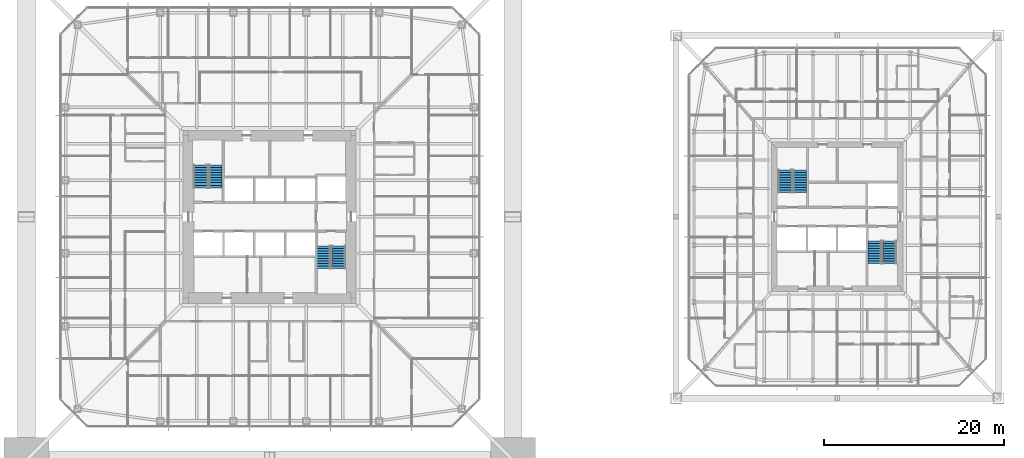
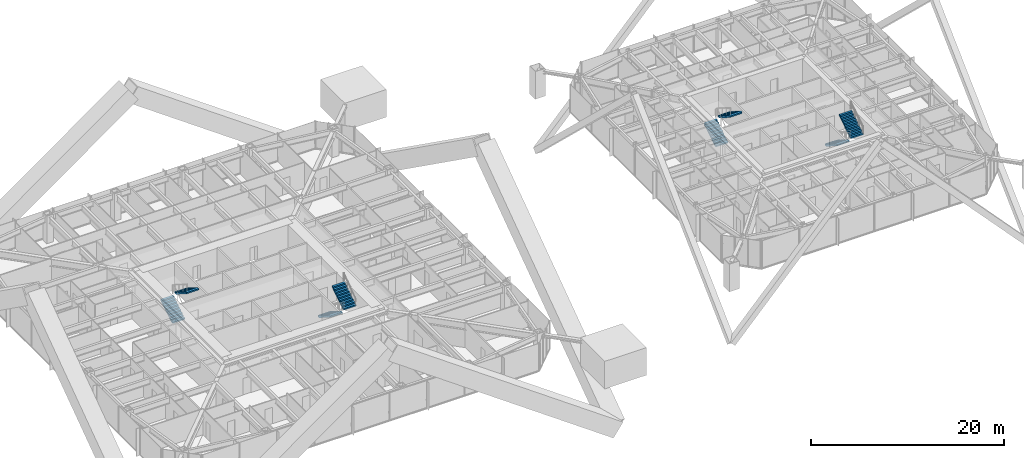
# One storey, part 24 of 28: 8 stair flights, 4 elements without a shape of their own.
"""IFC4 building model written with IfcOpenShell, lengths in metres."""

from ifc_helpers import new_model, si_unit, direction, frame, origin, place, context, subcontext, project, spatial, polyline, outline, extrude, material, constituent, constituent_set, type_object, element, aggregate, save


model = new_model("IFC4")

# Units and contexts
model_context = context("Model", 3, precision=1e-05, world=origin(), true_north=direction((0.0, 1.0)))
body_context = subcontext(model_context, "Body", "Model", "MODEL_VIEW")
ifc_project = project(units=[si_unit("LENGTHUNIT", "METRE"), si_unit("AREAUNIT", "SQUARE_METRE"), si_unit("VOLUMEUNIT", "CUBIC_METRE"), si_unit("PLANEANGLEUNIT", "RADIAN"), si_unit("MASSUNIT", "GRAM", prefix="KILO")], contexts=[model_context])

# Site, building, storey
site_placement = place(None, origin())
site = spatial("IfcSite", under=ifc_project, at=site_placement, CompositionType="ELEMENT")
building_placement = place(site_placement, origin())
building = spatial("IfcBuilding", under=site, at=building_placement, Name="Iwan Alto Co-Living Towers", CompositionType="ELEMENT")
storey_placement = place(building_placement, frame((0.0, 0.0, 43.0)))
storey = spatial("IfcBuildingStorey", under=building, at=storey_placement, Name="L11", CompositionType="ELEMENT", Elevation=43.0)

# Stair, stair flights
ifc_material_1 = material(Name="Steel ASTM A36", Category="steel")
ifc_constituent_1 = constituent(ifc_material_1, Name="Stringers", Category="LoadBearing")
ifc_material_2 = material(Name="Concrete f'c 30 MPa", Category="concrete")
ifc_constituent_2 = constituent(ifc_material_2, Name="Tread fill", Category="Finish")
ifc_constituent_set_1 = constituent_set(constituents=[ifc_constituent_1, ifc_constituent_2], Name="STAIR 3500 TWO-FLIGHT T1 CORE")
stair_type_1 = type_object("IfcStairType", Name="STAIR 3500 TWO-FLIGHT T1 CORE", PredefinedType="HALF_TURN_STAIR", material=ifc_constituent_set_1)
stair_1_placement = place(storey_placement, origin())
stair_1 = element("IfcStair", 1, at=stair_1_placement, inside=storey, type_object=stair_type_1, Name="Stair T1-S1 L11 to L12", PredefinedType="HALF_TURN_STAIR")
ifc_constituent_3 = constituent(ifc_material_1, Name="Stringers", Category="LoadBearing")
ifc_constituent_4 = constituent(ifc_material_2, Name="Tread fill", Category="Finish")
ifc_constituent_set_2 = constituent_set(constituents=[ifc_constituent_3, ifc_constituent_4], Name="STAIR FLIGHT 10 RISERS 280 GOING")
stair_flight_type = type_object("IfcStairFlightType", Name="STAIR FLIGHT 10 RISERS 280 GOING", PredefinedType="STRAIGHT", material=ifc_constituent_set_2)
stair_flight_1_placement = place(storey_placement, frame((-7.68994140625, 3.219970703125, 0.0), z_axis=(0.0, 0.0, 1.0), x_axis=(0.0, 1.0, 0.0)))
stair_flight_1 = element("IfcStairFlight", 2, at=stair_flight_1_placement, type_object=stair_flight_type, Name="T1-S1 flight 1", NumberOfRisers=10, NumberOfTreads=9, PredefinedType="STRAIGHT", RiserHeight=0.175, TreadLength=0.28, context=body_context, shape_type="SweptSolid", body=[
    extrude(outline(polyline([(0.0, 0.0), (0.0, 0.175048828125), (0.280029296875, 0.175048828125), (0.280029296875, 0.35009765625), (0.56005859375, 0.35009765625), (0.56005859375, 0.52490234375), (0.840087890625, 0.52490234375), (0.840087890625, 0.699951171875), (1.1201171875, 0.699951171875), (1.1201171875, 0.875), (1.39990234375, 0.875), (1.39990234375, 1.050048828125), (1.679931640625, 1.050048828125), (1.679931640625, 1.22509765625), (1.9599609375, 1.22509765625), (1.9599609375, 1.39990234375), (2.239990234375, 1.39990234375), (2.239990234375, 1.574951171875), (2.52001953125, 1.574951171875), (2.52001953125, 1.75), (2.52001953125, 1.398193359375), (0.28271484375, 0.0), (0.0, 0.0)])), frame((0.0, 0.739990234375, 0.0), z_axis=(0.0, -1.0, 0.0), x_axis=(1.0, 0.0, 0.0)), (0.0, 0.0, 1.0), 1.47998046875),
])
stair_flight_2_placement = place(storey_placement, frame((-6.010009765625, 5.739990234375, 1.75), z_axis=(0.0, 0.0, 1.0), x_axis=(0.0, -1.0, 0.0)))
stair_flight_2 = element("IfcStairFlight", 3, at=stair_flight_2_placement, type_object=stair_flight_type, Name="T1-S1 flight 2", NumberOfRisers=10, NumberOfTreads=9, PredefinedType="STRAIGHT", RiserHeight=0.175, TreadLength=0.28, context=body_context, shape_type="SweptSolid", body=[
    extrude(outline(polyline([(0.0, 0.0), (0.0, 0.175048828125), (0.280029296875, 0.175048828125), (0.280029296875, 0.35009765625), (0.56005859375, 0.35009765625), (0.56005859375, 0.52490234375), (0.840087890625, 0.52490234375), (0.840087890625, 0.699951171875), (1.1201171875, 0.699951171875), (1.1201171875, 0.875), (1.39990234375, 0.875), (1.39990234375, 1.050048828125), (1.679931640625, 1.050048828125), (1.679931640625, 1.22509765625), (1.9599609375, 1.22509765625), (1.9599609375, 1.39990234375), (2.239990234375, 1.39990234375), (2.239990234375, 1.574951171875), (2.52001953125, 1.574951171875), (2.52001953125, 1.75), (2.52001953125, 1.398193359375), (0.28271484375, 0.0), (0.0, 0.0)])), frame((0.0, 0.739990234375, 0.0), z_axis=(0.0, -1.0, 0.0), x_axis=(1.0, 0.0, 0.0)), (0.0, 0.0, 1.0), 1.47998046875),
])
aggregate(stair_1, [stair_flight_1, stair_flight_2])

stair_2_placement = place(storey_placement, origin())
stair_2 = element("IfcStair", 4, at=stair_2_placement, inside=storey, type_object=stair_type_1, Name="Stair T1-S2 L11 to L12", PredefinedType="HALF_TURN_STAIR")
stair_flight_3_placement = place(storey_placement, frame((6.010009765625, -3.219970703125, 0.0), z_axis=(0.0, 0.0, 1.0), x_axis=(0.0, -1.0, 0.0)))
stair_flight_3 = element("IfcStairFlight", 5, at=stair_flight_3_placement, type_object=stair_flight_type, Name="T1-S2 flight 1", NumberOfRisers=10, NumberOfTreads=9, PredefinedType="STRAIGHT", RiserHeight=0.175, TreadLength=0.28, context=body_context, shape_type="SweptSolid", body=[
    extrude(outline(polyline([(0.0, 0.0), (0.0, 0.175048828125), (0.280029296875, 0.175048828125), (0.280029296875, 0.35009765625), (0.56005859375, 0.35009765625), (0.56005859375, 0.52490234375), (0.840087890625, 0.52490234375), (0.840087890625, 0.699951171875), (1.1201171875, 0.699951171875), (1.1201171875, 0.875), (1.39990234375, 0.875), (1.39990234375, 1.050048828125), (1.679931640625, 1.050048828125), (1.679931640625, 1.22509765625), (1.9599609375, 1.22509765625), (1.9599609375, 1.39990234375), (2.239990234375, 1.39990234375), (2.239990234375, 1.574951171875), (2.52001953125, 1.574951171875), (2.52001953125, 1.75), (2.52001953125, 1.398193359375), (0.28271484375, 0.0), (0.0, 0.0)])), frame((0.0, 0.739990234375, 0.0), z_axis=(0.0, -1.0, 0.0), x_axis=(1.0, 0.0, 0.0)), (0.0, 0.0, 1.0), 1.47998046875),
])
stair_flight_4_placement = place(storey_placement, frame((7.68994140625, -5.739990234375, 1.75), z_axis=(0.0, 0.0, 1.0), x_axis=(0.0, 1.0, 0.0)))
stair_flight_4 = element("IfcStairFlight", 6, at=stair_flight_4_placement, type_object=stair_flight_type, Name="T1-S2 flight 2", NumberOfRisers=10, NumberOfTreads=9, PredefinedType="STRAIGHT", RiserHeight=0.175, TreadLength=0.28, context=body_context, shape_type="SweptSolid", body=[
    extrude(outline(polyline([(0.0, 0.0), (0.0, 0.175048828125), (0.280029296875, 0.175048828125), (0.280029296875, 0.35009765625), (0.56005859375, 0.35009765625), (0.56005859375, 0.52490234375), (0.840087890625, 0.52490234375), (0.840087890625, 0.699951171875), (1.1201171875, 0.699951171875), (1.1201171875, 0.875), (1.39990234375, 0.875), (1.39990234375, 1.050048828125), (1.679931640625, 1.050048828125), (1.679931640625, 1.22509765625), (1.9599609375, 1.22509765625), (1.9599609375, 1.39990234375), (2.239990234375, 1.39990234375), (2.239990234375, 1.574951171875), (2.52001953125, 1.574951171875), (2.52001953125, 1.75), (2.52001953125, 1.398193359375), (0.28271484375, 0.0), (0.0, 0.0)])), frame((0.0, 0.739990234375, 0.0), z_axis=(0.0, -1.0, 0.0), x_axis=(1.0, 0.0, 0.0)), (0.0, 0.0, 1.0), 1.47998046875),
])
aggregate(stair_2, [stair_flight_3, stair_flight_4])

ifc_constituent_5 = constituent(ifc_material_1, Name="Stringers", Category="LoadBearing")
ifc_constituent_6 = constituent(ifc_material_2, Name="Tread fill", Category="Finish")
ifc_constituent_set_3 = constituent_set(constituents=[ifc_constituent_5, ifc_constituent_6], Name="STAIR 3500 TWO-FLIGHT T2 CORE")
stair_type_2 = type_object("IfcStairType", Name="STAIR 3500 TWO-FLIGHT T2 CORE", PredefinedType="HALF_TURN_STAIR", material=ifc_constituent_set_3)
stair_3_placement = place(storey_placement, origin())
stair_3 = element("IfcStair", 7, at=stair_3_placement, inside=storey, type_object=stair_type_2, Name="Stair T2-S1 L11 to L12", PredefinedType="HALF_TURN_STAIR")
stair_flight_5_placement = place(storey_placement, frame((57.159912109375, 2.669921875, 0.0), z_axis=(0.0, 0.0, 1.0), x_axis=(0.0, 1.0, 0.0)))
stair_flight_5 = element("IfcStairFlight", 8, at=stair_flight_5_placement, type_object=stair_flight_type, Name="T2-S1 flight 1", NumberOfRisers=10, NumberOfTreads=9, PredefinedType="STRAIGHT", RiserHeight=0.175, TreadLength=0.28, context=body_context, shape_type="SweptSolid", body=[
    extrude(outline(polyline([(0.0, 0.0), (0.0, 0.175048828125), (0.280029296875, 0.175048828125), (0.280029296875, 0.35009765625), (0.56005859375, 0.35009765625), (0.56005859375, 0.52490234375), (0.840087890625, 0.52490234375), (0.840087890625, 0.699951171875), (1.1201171875, 0.699951171875), (1.1201171875, 0.875), (1.39990234375, 0.875), (1.39990234375, 1.050048828125), (1.679931640625, 1.050048828125), (1.679931640625, 1.22509765625), (1.9599609375, 1.22509765625), (1.9599609375, 1.39990234375), (2.239990234375, 1.39990234375), (2.239990234375, 1.574951171875), (2.52001953125, 1.574951171875), (2.52001953125, 1.75), (2.52001953125, 1.398193359375), (0.28271484375, 0.0), (0.0, 0.0)])), frame((0.0, 0.739990234375, 0.0), z_axis=(0.0, -1.0, 0.0), x_axis=(1.0, 0.0, 0.0)), (0.0, 0.0, 1.0), 1.47998046875),
])
stair_flight_6_placement = place(storey_placement, frame((58.840087890625, 5.18994140625, 1.75), z_axis=(0.0, 0.0, 1.0), x_axis=(0.0, -1.0, 0.0)))
stair_flight_6 = element("IfcStairFlight", 9, at=stair_flight_6_placement, type_object=stair_flight_type, Name="T2-S1 flight 2", NumberOfRisers=10, NumberOfTreads=9, PredefinedType="STRAIGHT", RiserHeight=0.175, TreadLength=0.28, context=body_context, shape_type="SweptSolid", body=[
    extrude(outline(polyline([(0.0, 0.0), (0.0, 0.175048828125), (0.280029296875, 0.175048828125), (0.280029296875, 0.35009765625), (0.56005859375, 0.35009765625), (0.56005859375, 0.52490234375), (0.840087890625, 0.52490234375), (0.840087890625, 0.699951171875), (1.1201171875, 0.699951171875), (1.1201171875, 0.875), (1.39990234375, 0.875), (1.39990234375, 1.050048828125), (1.679931640625, 1.050048828125), (1.679931640625, 1.22509765625), (1.9599609375, 1.22509765625), (1.9599609375, 1.39990234375), (2.239990234375, 1.39990234375), (2.239990234375, 1.574951171875), (2.52001953125, 1.574951171875), (2.52001953125, 1.75), (2.52001953125, 1.398193359375), (0.28271484375, 0.0), (0.0, 0.0)])), frame((0.0, 0.739990234375, 0.0), z_axis=(0.0, -1.0, 0.0), x_axis=(1.0, 0.0, 0.0)), (0.0, 0.0, 1.0), 1.47998046875),
])
aggregate(stair_3, [stair_flight_5, stair_flight_6])

stair_4_placement = place(storey_placement, origin())
stair_4 = element("IfcStair", 10, at=stair_4_placement, inside=storey, type_object=stair_type_2, Name="Stair T2-S2 L11 to L12", PredefinedType="HALF_TURN_STAIR")
stair_flight_7_placement = place(storey_placement, frame((67.159912109375, -2.669921875, 0.0), z_axis=(0.0, 0.0, 1.0), x_axis=(0.0, -1.0, 0.0)))
stair_flight_7 = element("IfcStairFlight", 11, at=stair_flight_7_placement, type_object=stair_flight_type, Name="T2-S2 flight 1", NumberOfRisers=10, NumberOfTreads=9, PredefinedType="STRAIGHT", RiserHeight=0.175, TreadLength=0.28, context=body_context, shape_type="SweptSolid", body=[
    extrude(outline(polyline([(0.0, 0.0), (0.0, 0.175048828125), (0.280029296875, 0.175048828125), (0.280029296875, 0.35009765625), (0.56005859375, 0.35009765625), (0.56005859375, 0.52490234375), (0.840087890625, 0.52490234375), (0.840087890625, 0.699951171875), (1.1201171875, 0.699951171875), (1.1201171875, 0.875), (1.39990234375, 0.875), (1.39990234375, 1.050048828125), (1.679931640625, 1.050048828125), (1.679931640625, 1.22509765625), (1.9599609375, 1.22509765625), (1.9599609375, 1.39990234375), (2.239990234375, 1.39990234375), (2.239990234375, 1.574951171875), (2.52001953125, 1.574951171875), (2.52001953125, 1.75), (2.52001953125, 1.398193359375), (0.28271484375, 0.0), (0.0, 0.0)])), frame((0.0, 0.739990234375, 0.0), z_axis=(0.0, -1.0, 0.0), x_axis=(1.0, 0.0, 0.0)), (0.0, 0.0, 1.0), 1.47998046875),
])
stair_flight_8_placement = place(storey_placement, frame((68.840087890625, -5.18994140625, 1.75), z_axis=(0.0, 0.0, 1.0), x_axis=(0.0, 1.0, 0.0)))
stair_flight_8 = element("IfcStairFlight", 12, at=stair_flight_8_placement, type_object=stair_flight_type, Name="T2-S2 flight 2", NumberOfRisers=10, NumberOfTreads=9, PredefinedType="STRAIGHT", RiserHeight=0.175, TreadLength=0.28, context=body_context, shape_type="SweptSolid", body=[
    extrude(outline(polyline([(0.0, 0.0), (0.0, 0.175048828125), (0.280029296875, 0.175048828125), (0.280029296875, 0.35009765625), (0.56005859375, 0.35009765625), (0.56005859375, 0.52490234375), (0.840087890625, 0.52490234375), (0.840087890625, 0.699951171875), (1.1201171875, 0.699951171875), (1.1201171875, 0.875), (1.39990234375, 0.875), (1.39990234375, 1.050048828125), (1.679931640625, 1.050048828125), (1.679931640625, 1.22509765625), (1.9599609375, 1.22509765625), (1.9599609375, 1.39990234375), (2.239990234375, 1.39990234375), (2.239990234375, 1.574951171875), (2.52001953125, 1.574951171875), (2.52001953125, 1.75), (2.52001953125, 1.398193359375), (0.28271484375, 0.0), (0.0, 0.0)])), frame((0.0, 0.739990234375, 0.0), z_axis=(0.0, -1.0, 0.0), x_axis=(1.0, 0.0, 0.0)), (0.0, 0.0, 1.0), 1.47998046875),
])
aggregate(stair_4, [stair_flight_7, stair_flight_8])

save(model, "model.ifc")
